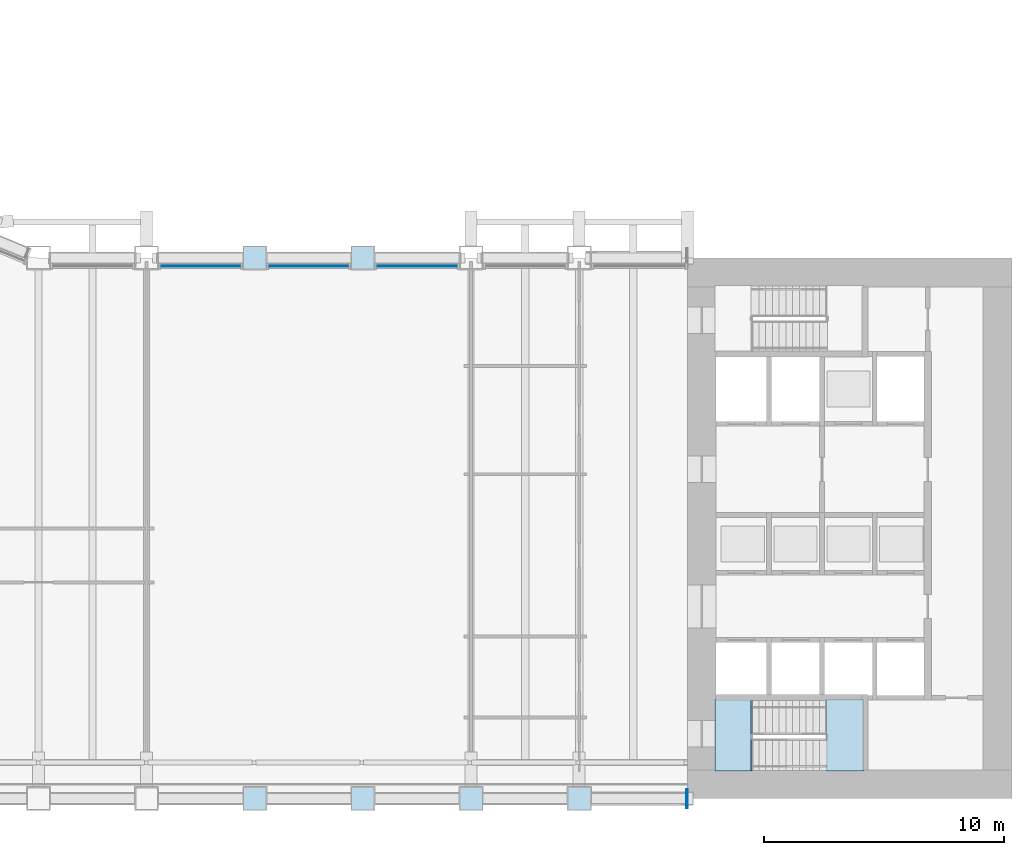
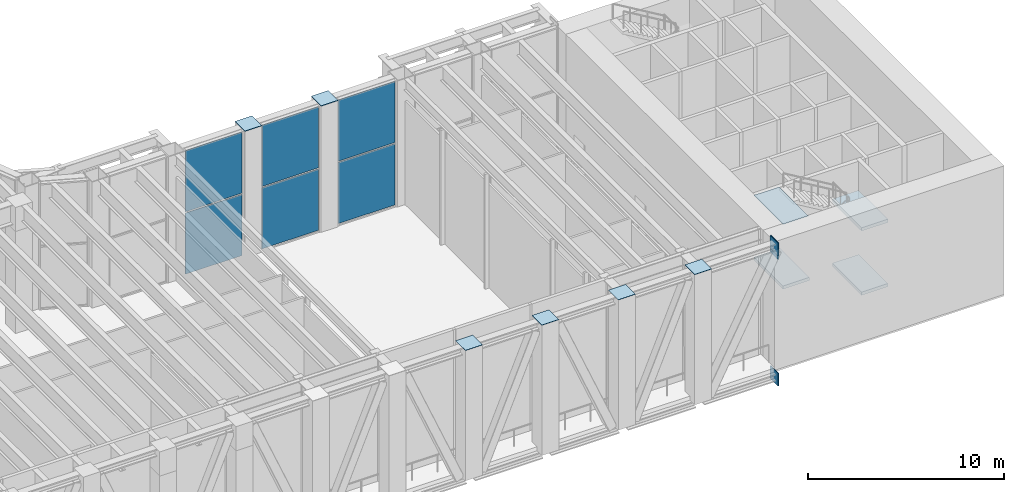
# One storey, part 5 of 21: 17 plates, 4 slabs, 4 elements without a shape of their own.
"""IFC4 building model written with IfcOpenShell, lengths in metres."""

from ifc_helpers import new_model, si_unit, direction, frame, origin, origin_2d, place, context, subcontext, project, spatial, polyline, rectangle, outline, extrude, material, layer, layer_set, type_object, element, aggregate, save


model = new_model("IFC4")

# Units and contexts
model_context = context("Model", 3, precision=1e-05, world=origin(), true_north=direction((0.0, 1.0)))
body_context = subcontext(model_context, "Body", "Model", "MODEL_VIEW")
ifc_project = project(units=[si_unit("LENGTHUNIT", "METRE"), si_unit("AREAUNIT", "SQUARE_METRE"), si_unit("VOLUMEUNIT", "CUBIC_METRE"), si_unit("PLANEANGLEUNIT", "RADIAN"), si_unit("MASSUNIT", "GRAM", prefix="KILO")], contexts=[model_context])

# Site, building, storey
site_placement = place(None, origin())
site = spatial("IfcSite", under=ifc_project, at=site_placement, CompositionType="ELEMENT")
building_placement = place(site_placement, origin())
building = spatial("IfcBuilding", under=site, at=building_placement, Name="Sennacour Bend Tower", CompositionType="ELEMENT")
storey_placement = place(building_placement, frame((0.0, 0.0, 131.0)))
storey = spatial("IfcBuildingStorey", under=building, at=storey_placement, Name="L30", CompositionType="ELEMENT", Elevation=131.0)

# Plates
ifc_material_1 = material(Name="Steel ASTM A572 Grade 50", Category="steel")
ifc_layer_1 = layer(ifc_material_1, 0.0400390625, Name="Steel ASTM A572 Grade 50", Category="steel")
ifc_layer_set_1 = layer_set([ifc_layer_1], Name="Steel ASTM A572 Grade 50")
plate_type_1 = type_object("IfcPlateType", Name="Cast-in plate 40", PredefinedType="USERDEFINED", material=ifc_layer_set_1)
for number, where, z_axis, x_axis, name in (
    (1, (54.0, 0.0, -0.87744140625), (0.0, 0.0, 1.0), (1.0, 0.0, 0.0), "Cast-in plate CP 40"),
    (2, (53.97998046875, 0.0, -0.87744140625), (0.0, 0.0, 1.0), (1.0, 0.0, 0.0), "Cast-in plate CP BC 40"),
    (3, (54.0, 0.0, 7.22265625), (0.0, 0.0, 1.0), (1.0, 0.0, 0.0), "Cast-in plate CP 40"),
    (4, (53.97998046875, 0.0, 7.22265625), (0.0, 0.0, 1.0), (1.0, 0.0, 0.0), "Cast-in plate CP BC 40"),
    (5, (53.97998046875, 0.0, 6.9951171875), (0.0, 0.0, 1.0), (1.0, 0.0, 0.0), "Cast-in plate CP OTD 40"),
):
    element("IfcPlate", number, at=place(storey_placement, frame(where, z_axis=z_axis, x_axis=x_axis)), inside=storey, type_object=plate_type_1, Name=name, ObjectType="CAST-IN PLATE", PredefinedType="USERDEFINED", context=body_context, shape_type="SweptSolid", body=[
        extrude(rectangle(XDim=0.0400390625, YDim=0.800048828125, at=origin_2d()), origin(), (0.0, 0.0, 1.0), 0.800048828125),
    ])
ifc_layer_2 = layer(ifc_material_1, 0.02490234375, Name="Steel ASTM A572 Grade 50", Category="steel")
ifc_layer_set_2 = layer_set([ifc_layer_2], Name="Steel ASTM A572 Grade 50")
plate_type_2 = type_object("IfcPlateType", Name="Column cap plate 1000", PredefinedType="USERDEFINED", material=ifc_layer_set_2)
for number, where, z_axis, x_axis, name in (
    (6, (36.0, 0.0, 7.85009765625), (0.0, 0.0, 1.0), (1.0, 0.0, 0.0), "Column cap plate L30-022"),
    (7, (36.0, 22.5, 7.85009765625), (0.0, 0.0, 1.0), (1.0, 0.0, 0.0), "Column cap plate L30-023"),
    (8, (40.5, 0.0, 7.85009765625), (0.0, 0.0, 1.0), (1.0, 0.0, 0.0), "Column cap plate L30-024"),
    (9, (40.5, 22.5, 7.85009765625), (0.0, 0.0, 1.0), (1.0, 0.0, 0.0), "Column cap plate L30-025"),
    (10, (45.0, 0.0, 7.85009765625), (0.0, 0.0, 1.0), (1.0, 0.0, 0.0), "Column cap plate L30-026"),
    (11, (49.5, 0.0, 7.85009765625), (0.0, 0.0, 1.0), (1.0, 0.0, 0.0), "Column cap plate L30-028"),
):
    element("IfcPlate", number, at=place(storey_placement, frame(where, z_axis=z_axis, x_axis=x_axis)), inside=storey, type_object=plate_type_2, Name=name, ObjectType="END PLATE", PredefinedType="USERDEFINED", context=body_context, shape_type="SweptSolid", body=[
        extrude(rectangle(XDim=1.0, YDim=1.0, at=origin_2d()), origin(), (0.0, 0.0, 1.0), 0.02490234375),
    ])

# Curtain wall, plates
ifc_material_2 = material(Name="Bronze anodised aluminium curtain wall with clear glass", Category="aluminium")
curtain_wall_type = type_object("IfcCurtainWallType", Name="CURTAIN WALL GARDEN", PredefinedType="NOTDEFINED", material=ifc_material_2)
curtain_wall_1_placement = place(storey_placement, origin())
curtain_wall_1 = element("IfcCurtainWall", 12, at=curtain_wall_1_placement, inside=storey, type_object=curtain_wall_type, Name="Sky garden glass wall L30", PredefinedType="NOTDEFINED")
ifc_material_3 = material(Name="Laminated clear low-emissivity glass", Category="glass")
ifc_layer_3 = layer(ifc_material_3, 0.035888671875, Name="Laminated clear low-emissivity glass", Category="glass")
ifc_layer_set_3 = layer_set([ifc_layer_3], Name="Laminated clear low-emissivity glass")
plate_type_3 = type_object("IfcPlateType", Name="PNL-GLASS-LAM36", PredefinedType="CURTAIN_PANEL", material=ifc_layer_set_3)
plate_1_placement = place(storey_placement, frame((33.75, 22.156005859375, 0.080078125), z_axis=(0.0, 0.0, 1.0), x_axis=(1.0, 0.0, 0.0)))
plate_1 = element("IfcPlate", 13, at=plate_1_placement, type_object=plate_type_3, Name="GW6 curtain wall panel 1.1", PredefinedType="CURTAIN_PANEL", context=body_context, shape_type="SweptSolid", body=[
    extrude(rectangle(XDim=3.340087890625, YDim=0.035888671875, at=origin_2d()), origin(), (0.0, 0.0, 1.0), 3.804931640625),
])
plate_2_placement = place(storey_placement, frame((33.75, 22.156005859375, 3.96484375), z_axis=(0.0, 0.0, 1.0), x_axis=(1.0, 0.0, 0.0)))
plate_2 = element("IfcPlate", 14, at=plate_2_placement, type_object=plate_type_3, Name="GW6 curtain wall panel 1.2", PredefinedType="CURTAIN_PANEL", context=body_context, shape_type="SweptSolid", body=[
    extrude(rectangle(XDim=3.340087890625, YDim=0.035888671875, at=origin_2d()), origin(), (0.0, 0.0, 1.0), 3.804931640625),
])
aggregate(curtain_wall_1, [plate_1, plate_2])

curtain_wall_2_placement = place(storey_placement, origin())
curtain_wall_2 = element("IfcCurtainWall", 15, at=curtain_wall_2_placement, inside=storey, type_object=curtain_wall_type, Name="Sky garden glass wall L30", PredefinedType="NOTDEFINED")
plate_3_placement = place(storey_placement, frame((38.25, 22.156005859375, 0.080078125), z_axis=(0.0, 0.0, 1.0), x_axis=(1.0, 0.0, 0.0)))
plate_3 = element("IfcPlate", 16, at=plate_3_placement, type_object=plate_type_3, Name="GW6 curtain wall panel 1.1", PredefinedType="CURTAIN_PANEL", context=body_context, shape_type="SweptSolid", body=[
    extrude(rectangle(XDim=3.340087890625, YDim=0.035888671875, at=origin_2d()), origin(), (0.0, 0.0, 1.0), 3.804931640625),
])
plate_4_placement = place(storey_placement, frame((38.25, 22.156005859375, 3.96484375), z_axis=(0.0, 0.0, 1.0), x_axis=(1.0, 0.0, 0.0)))
plate_4 = element("IfcPlate", 17, at=plate_4_placement, type_object=plate_type_3, Name="GW6 curtain wall panel 1.2", PredefinedType="CURTAIN_PANEL", context=body_context, shape_type="SweptSolid", body=[
    extrude(rectangle(XDim=3.340087890625, YDim=0.035888671875, at=origin_2d()), origin(), (0.0, 0.0, 1.0), 3.804931640625),
])
aggregate(curtain_wall_2, [plate_3, plate_4])

curtain_wall_3_placement = place(storey_placement, origin())
curtain_wall_3 = element("IfcCurtainWall", 18, at=curtain_wall_3_placement, inside=storey, type_object=curtain_wall_type, Name="Sky garden glass wall L30", PredefinedType="NOTDEFINED")
plate_5_placement = place(storey_placement, frame((42.75, 22.156005859375, 0.080078125), z_axis=(0.0, 0.0, 1.0), x_axis=(1.0, 0.0, 0.0)))
plate_5 = element("IfcPlate", 19, at=plate_5_placement, type_object=plate_type_3, Name="GW6 curtain wall panel 1.1", PredefinedType="CURTAIN_PANEL", context=body_context, shape_type="SweptSolid", body=[
    extrude(rectangle(XDim=3.340087890625, YDim=0.035888671875, at=origin_2d()), origin(), (0.0, 0.0, 1.0), 3.804931640625),
])
plate_6_placement = place(storey_placement, frame((42.75, 22.156005859375, 3.96484375), z_axis=(0.0, 0.0, 1.0), x_axis=(1.0, 0.0, 0.0)))
plate_6 = element("IfcPlate", 20, at=plate_6_placement, type_object=plate_type_3, Name="GW6 curtain wall panel 1.2", PredefinedType="CURTAIN_PANEL", context=body_context, shape_type="SweptSolid", body=[
    extrude(rectangle(XDim=3.340087890625, YDim=0.035888671875, at=origin_2d()), origin(), (0.0, 0.0, 1.0), 3.804931640625),
])
aggregate(curtain_wall_3, [plate_5, plate_6])

# Slab
ifc_material_4 = material(Name="Concrete C40/50", Category="concrete")
ifc_layer_4 = layer(ifc_material_4, 0.034912109375, Name="Concrete C40/50", Category="concrete")
ifc_layer_set_4 = layer_set([ifc_layer_4], Name="Concrete C40/50")
slab_type_1 = type_object("IfcSlabType", Name="Stair arrival nib 35", PredefinedType="FLOOR", material=ifc_layer_set_4)
slab_1_placement = place(storey_placement, frame((0.0, 0.0, 7.815185546875)))
element("IfcSlab", 21, at=slab_1_placement, inside=storey, type_object=slab_type_1, Name="L30 SA1 stair arrival nib", PredefinedType="FLOOR", context=body_context, shape_type="SweptSolid", body=[
    extrude(outline(polyline([(56.64208984375, 4.125), (55.14990234375, 4.125), (55.14990234375, 1.14990234375), (56.64208984375, 1.14990234375), (56.64208984375, 4.125)])), origin(), (0.0, 0.0, 1.0), 0.034912109375),
])

# Stair, slabs
stair_type = type_object("IfcStairType", Name="ST-DOGLEG", PredefinedType="HALF_TURN_STAIR", material=ifc_material_4)
stair_placement = place(storey_placement, origin())
stair = element("IfcStair", 22, at=stair_placement, inside=storey, type_object=stair_type, Name="L30 Exit stair A1", PredefinedType="HALF_TURN_STAIR")
ifc_layer_5 = layer(ifc_material_4, 0.199951171875, Name="Concrete C40/50", Category="concrete")
ifc_layer_set_5 = layer_set([ifc_layer_5], Name="Concrete C40/50")
slab_type_2 = type_object("IfcSlabType", Name="Stair landing 200", PredefinedType="LANDING", material=ifc_layer_set_5)
slab_2_placement = place(storey_placement, frame((0.0, 0.0, 1.800048828125)))
slab_2 = element("IfcSlab", 23, at=slab_2_placement, type_object=slab_type_2, Name="SA1 landing 1", PredefinedType="LANDING", context=body_context, shape_type="SweptSolid", body=[
    extrude(outline(polyline([(59.780029296875, 1.14990234375), (61.324951171875, 1.14990234375), (61.324951171875, 4.125), (59.780029296875, 4.125), (59.780029296875, 1.14990234375)])), origin(), (0.0, 0.0, 1.0), 0.199951171875),
])
slab_3_placement = place(storey_placement, frame((0.0, 0.0, 3.800048828125)))
slab_3 = element("IfcSlab", 24, at=slab_3_placement, type_object=slab_type_2, Name="SA1 landing 2", PredefinedType="LANDING", context=body_context, shape_type="SweptSolid", body=[
    extrude(outline(polyline([(55.14990234375, 1.14990234375), (56.699951171875, 1.14990234375), (56.699951171875, 4.125), (55.14990234375, 4.125), (55.14990234375, 1.14990234375)])), origin(), (0.0, 0.0, 1.0), 0.199951171875),
])
slab_4_placement = place(storey_placement, frame((0.0, 0.0, 5.800048828125)))
slab_4 = element("IfcSlab", 25, at=slab_4_placement, type_object=slab_type_2, Name="SA1 landing 3", PredefinedType="LANDING", context=body_context, shape_type="SweptSolid", body=[
    extrude(outline(polyline([(59.780029296875, 1.14990234375), (61.324951171875, 1.14990234375), (61.324951171875, 4.125), (59.780029296875, 4.125), (59.780029296875, 1.14990234375)])), origin(), (0.0, 0.0, 1.0), 0.199951171875),
])
aggregate(stair, [slab_2, slab_3, slab_4])

save(model, "model.ifc")
